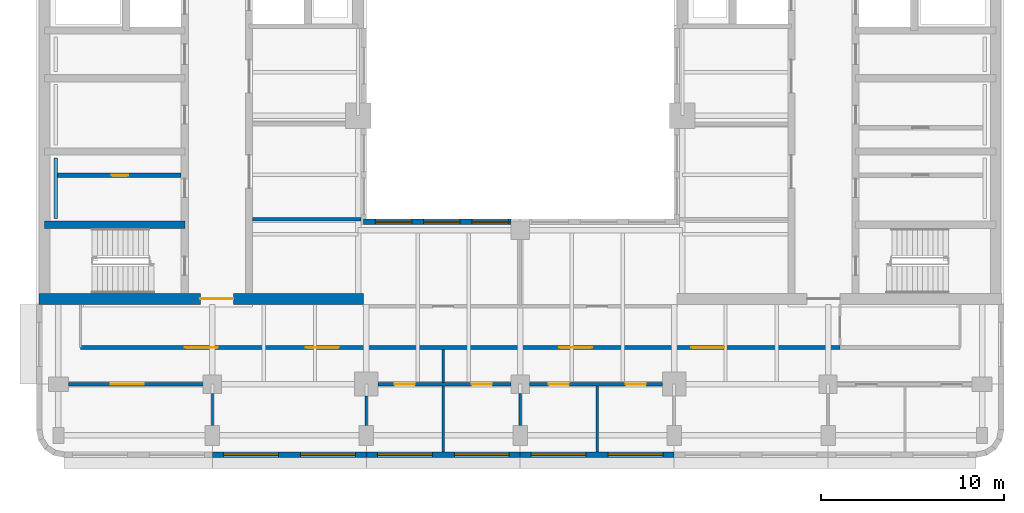
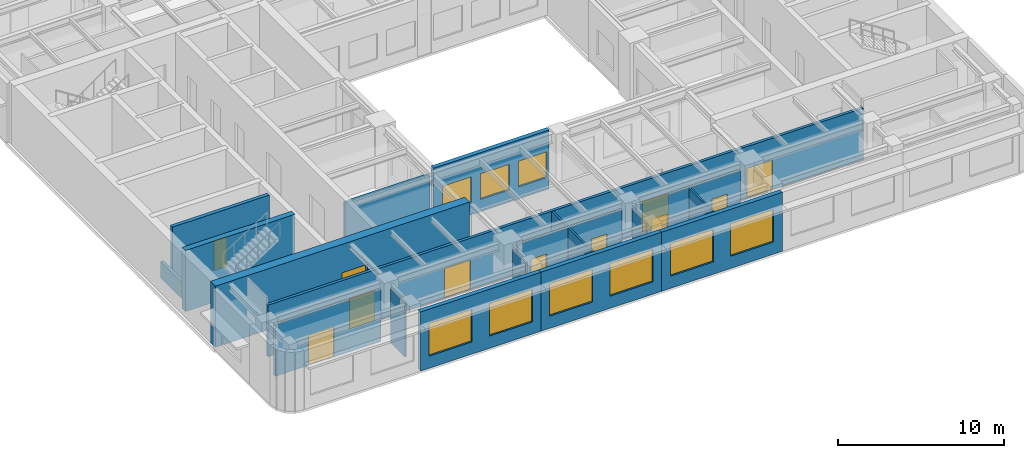
# One storey, part 3 of 11: 19 walls, 11 doors, 9 windows, 20 openings.
"""IFC4 building model written with IfcOpenShell, lengths in metres."""

from ifc_helpers import new_model, si_unit, direction, frame, frame_2d, origin, place, context, subcontext, project, spatial, rectangle, extrude, material, layer, layer_set, type_object, element, fill, save


model = new_model("IFC4")

# Units and contexts
model_context = context("Model", 3, precision=1e-05, world=origin(), true_north=direction((0.0, 1.0)))
body_context = subcontext(model_context, "Body", "Model", "MODEL_VIEW")
ifc_project = project(units=[si_unit("LENGTHUNIT", "METRE"), si_unit("AREAUNIT", "SQUARE_METRE"), si_unit("VOLUMEUNIT", "CUBIC_METRE"), si_unit("PLANEANGLEUNIT", "RADIAN"), si_unit("MASSUNIT", "GRAM", prefix="KILO")], contexts=[model_context])

# Site, building, storey
site_placement = place(None, origin())
site = spatial("IfcSite", under=ifc_project, at=site_placement, CompositionType="ELEMENT")
building_placement = place(site_placement, origin())
building = spatial("IfcBuilding", under=site, at=building_placement, Name="Claustro Exchange Tower", CompositionType="ELEMENT")
storey_placement = place(building_placement, frame((0.0, 0.0, 263.699951171875)))
storey = spatial("IfcBuildingStorey", under=building, at=storey_placement, Name="L60", CompositionType="ELEMENT", Elevation=263.699951171875)

# Walls
ifc_material_1 = material(Name="Laminated glass in aluminium frame", Category="aluminium")
ifc_layer_1 = layer(ifc_material_1, 0.1201171875)
ifc_layer_set_1 = layer_set([ifc_layer_1], Name="Laminated glass in aluminium frame")
wall_type_1 = type_object("IfcWallType", Name="P2 120 glazed partition", PredefinedType="PARTITIONING", material=ifc_layer_set_1)
wall_1_placement = place(storey_placement, frame((8.39990234375, 6.14892578125, 0.0), z_axis=(0.0, 0.0, 1.0), x_axis=(0.0, 1.0, 0.0)))
element("IfcWall", 1, at=wall_1_placement, inside=storey, type_object=wall_type_1, Name="Partition P2 L60", PredefinedType="PARTITIONING", context=body_context, shape_type="SweptSolid", body=[
    extrude(rectangle(XDim=1.751953125, YDim=0.1201171875, at=frame_2d((0.8759765625, 0.0))), origin(), (0.0, 0.0, 1.0), 3.989990234375),
])
wall_2_placement = place(storey_placement, frame((16.800048828125, 6.14892578125, 0.0), z_axis=(0.0, 0.0, 1.0), x_axis=(0.0, 1.0, 0.0)))
element("IfcWall", 2, at=wall_2_placement, inside=storey, type_object=wall_type_1, Name="Partition P2 L60", PredefinedType="PARTITIONING", context=body_context, shape_type="SweptSolid", body=[
    extrude(rectangle(XDim=1.60205078125, YDim=0.1201171875, at=frame_2d((0.801025390625, 0.0))), origin(), (0.0, 0.0, 1.0), 3.989990234375),
])
wall_3_placement = place(storey_placement, frame((21.0, 4.699951171875, 0.0), z_axis=(0.0, 0.0, 1.0), x_axis=(0.0, 1.0, 0.0)))
element("IfcWall", 3, at=wall_3_placement, inside=storey, type_object=wall_type_1, Name="Partition P2 L60", PredefinedType="PARTITIONING", context=body_context, shape_type="SweptSolid", body=[
    extrude(rectangle(XDim=3.60205078125, YDim=0.1201171875, at=frame_2d((1.801025390625, 0.0))), origin(), (0.0, 0.0, 1.0), 3.800048828125),
])
wall_4_placement = place(storey_placement, frame((25.199951171875, 6.14892578125, 0.0), z_axis=(0.0, 0.0, 1.0), x_axis=(0.0, 1.0, 0.0)))
element("IfcWall", 4, at=wall_4_placement, inside=storey, type_object=wall_type_1, Name="Partition P2 L60", PredefinedType="PARTITIONING", context=body_context, shape_type="SweptSolid", body=[
    extrude(rectangle(XDim=1.751953125, YDim=0.1201171875, at=frame_2d((0.8759765625, 0.0))), origin(), (0.0, 0.0, 1.0), 3.989990234375),
])
wall_5_placement = place(storey_placement, frame((29.39990234375, 4.699951171875, 0.0), z_axis=(0.0, 0.0, 1.0), x_axis=(0.0, 1.0, 0.0)))
element("IfcWall", 5, at=wall_5_placement, inside=storey, type_object=wall_type_1, Name="Partition P2 L60", PredefinedType="PARTITIONING", context=body_context, shape_type="SweptSolid", body=[
    extrude(rectangle(XDim=3.60205078125, YDim=0.1201171875, at=frame_2d((1.801025390625, 0.0))), origin(), (0.0, 0.0, 1.0), 3.800048828125),
])
wall_6_placement = place(storey_placement, frame((21.0, 8.498046875, 0.0), z_axis=(0.0, 0.0, 1.0), x_axis=(0.0, 1.0, 0.0)))
element("IfcWall", 6, at=wall_6_placement, inside=storey, type_object=wall_type_1, Name="Partition P2 L60", PredefinedType="PARTITIONING", context=body_context, shape_type="SweptSolid", body=[
    extrude(rectangle(XDim=1.803955078125, YDim=0.1201171875, at=frame_2d((0.90185546875, 0.0))), origin(), (0.0, 0.0, 1.0), 3.800048828125),
])
ifc_material_2 = material(Name="Twin-skin gypsum board on steel studs, mineral wool", Category="steel")
ifc_layer_2 = layer(ifc_material_2, 0.199951171875)
ifc_layer_set_2 = layer_set([ifc_layer_2], Name="Twin-skin gypsum board on steel studs, mineral wool")
wall_type_2 = type_object("IfcWallType", Name="P3 200 acoustic partition", PredefinedType="PARTITIONING", material=ifc_layer_set_2)
wall_7_placement = place(storey_placement, frame((10.597900390625, 17.39990234375, 0.0), z_axis=(0.0, 0.0, 1.0), x_axis=(1.0, 0.0, 0.0)))
element("IfcWall", 7, at=wall_7_placement, inside=storey, type_object=wall_type_2, Name="Partition P3 L60", PredefinedType="PARTITIONING", context=body_context, shape_type="SweptSolid", body=[
    extrude(rectangle(XDim=5.904052734375, YDim=0.199951171875, at=frame_2d((2.9521484375, 0.0))), origin(), (0.0, 0.0, 1.0), 3.800048828125),
])

# Wall, opening, door
wall_8_placement = place(storey_placement, frame((0.549072265625, 8.39990234375, 0.0), z_axis=(0.0, 0.0, 1.0), x_axis=(1.0, 0.0, 0.0)))
wall_8 = element("IfcWall", 8, at=wall_8_placement, inside=storey, type_object=wall_type_2, Name="Partition P3 L60", PredefinedType="PARTITIONING", context=body_context, shape_type="SweptSolid", body=[
    extrude(rectangle(XDim=7.351806640625, YDim=0.199951171875, at=frame_2d((3.67578125, 0.0))), origin(), (0.0, 0.0, 1.0), 3.800048828125),
])
opening_1_placement = place(wall_8_placement, frame((2.301025390625, 0.0, 0.0)))
opening_1 = element("IfcOpeningElement", 9, at=opening_1_placement, cuts=wall_8, Name="Opening D2", PredefinedType="OPENING", context=body_context, shape_type="SweptSolid", body=[
    extrude(rectangle(XDim=1.800048828125, YDim=2.199951171875, at=frame_2d((0.89990234375, 1.10009765625))), frame((0.0, 0.10986328125, 0.0), z_axis=(0.0, -1.0, 0.0), x_axis=(1.0, 0.0, 0.0)), (0.0, 0.0, 1.0), 0.219970703125),
])
ifc_material_3 = material(Name="Timber door, oak veneer", Category="wood")
door_type_1 = type_object("IfcDoorType", Name="D2 1800 x 2200 double door", OperationType="DOUBLE_DOOR_SINGLE_SWING", PredefinedType="DOOR", material=ifc_material_3)
door_1_placement = place(opening_1_placement, frame((1.800048828125, 0.0, 0.0), z_axis=(0.0, 0.0, 1.0), x_axis=(-1.0, 0.0, 0.0)))
door_1 = element("IfcDoor", 10, at=door_1_placement, inside=storey, type_object=door_type_1, Name="Double door D2 L60", OperationType="DOUBLE_DOOR_SINGLE_SWING", OverallHeight=2.199951171875, OverallWidth=1.800048828125, PredefinedType="DOOR", context=body_context, shape_type="SweptSolid", body=[
    extrude(rectangle(XDim=1.800048828125, YDim=2.199951171875, at=frame_2d((0.89990234375, 1.10009765625))), frame((0.0, 0.02490234375, 0.0), z_axis=(0.0, -1.0, 0.0), x_axis=(1.0, 0.0, 0.0)), (0.0, 0.0, 1.0), 0.050048828125),
])
fill(opening_1, door_1)

# Wall, openings, doors
wall_9_placement = place(storey_placement, frame((17.448974609375, 8.39990234375, 0.0), z_axis=(0.0, 0.0, 1.0), x_axis=(1.0, 0.0, 0.0)))
wall_9 = element("IfcWall", 11, at=wall_9_placement, inside=storey, type_object=wall_type_2, Name="Partition P3 L60", PredefinedType="PARTITIONING", context=body_context, shape_type="SweptSolid", body=[
    extrude(rectangle(XDim=7.251953125, YDim=0.199951171875, at=frame_2d((3.6259765625, 0.0))), origin(), (0.0, 0.0, 1.0), 3.800048828125),
])
opening_2_placement = place(wall_9_placement, frame((0.90087890625, 0.0, 0.0)))
opening_2 = element("IfcOpeningElement", 12, at=opening_2_placement, cuts=wall_9, Name="Opening D8", PredefinedType="OPENING", context=body_context, shape_type="SweptSolid", body=[
    extrude(rectangle(XDim=1.10009765625, YDim=2.39990234375, at=frame_2d((0.550048828125, 1.199951171875))), frame((0.0, 0.10986328125, 0.0), z_axis=(0.0, -1.0, 0.0), x_axis=(1.0, 0.0, 0.0)), (0.0, 0.0, 1.0), 0.219970703125),
])
opening_3_placement = place(wall_9_placement, frame((5.10107421875, 0.0, 0.0)))
opening_3 = element("IfcOpeningElement", 13, at=opening_3_placement, cuts=wall_9, Name="Opening D8", PredefinedType="OPENING", context=body_context, shape_type="SweptSolid", body=[
    extrude(rectangle(XDim=1.10009765625, YDim=2.39990234375, at=frame_2d((0.550048828125, 1.199951171875))), frame((0.0, 0.10986328125, 0.0), z_axis=(0.0, -1.0, 0.0), x_axis=(1.0, 0.0, 0.0)), (0.0, 0.0, 1.0), 0.219970703125),
])
ifc_material_4 = material(Name="Timber door, walnut veneer", Category="wood")
door_type_2 = type_object("IfcDoorType", Name="D8 1100 x 2400 executive door", OperationType="SINGLE_SWING_LEFT", PredefinedType="DOOR", material=ifc_material_4)
door_2_placement = place(opening_2_placement, frame((1.10009765625, 0.0, 0.0), z_axis=(0.0, 0.0, 1.0), x_axis=(-1.0, 0.0, 0.0)))
door_2 = element("IfcDoor", 14, at=door_2_placement, inside=storey, type_object=door_type_2, Name="Door D8 L60", OperationType="SINGLE_SWING_LEFT", OverallHeight=2.39990234375, OverallWidth=1.10009765625, PredefinedType="DOOR", context=body_context, shape_type="SweptSolid", body=[
    extrude(rectangle(XDim=1.10009765625, YDim=2.39990234375, at=frame_2d((0.550048828125, 1.199951171875))), frame((0.0, 0.02490234375, 0.0), z_axis=(0.0, -1.0, 0.0), x_axis=(1.0, 0.0, 0.0)), (0.0, 0.0, 1.0), 0.050048828125),
])
fill(opening_2, door_2)
door_3_placement = place(opening_3_placement, frame((1.10009765625, 0.0, 0.0), z_axis=(0.0, 0.0, 1.0), x_axis=(-1.0, 0.0, 0.0)))
door_3 = element("IfcDoor", 15, at=door_3_placement, inside=storey, type_object=door_type_2, Name="Door D8 L60", OperationType="SINGLE_SWING_LEFT", OverallHeight=2.39990234375, OverallWidth=1.10009765625, PredefinedType="DOOR", context=body_context, shape_type="SweptSolid", body=[
    extrude(rectangle(XDim=1.10009765625, YDim=2.39990234375, at=frame_2d((0.550048828125, 1.199951171875))), frame((0.0, 0.02490234375, 0.0), z_axis=(0.0, -1.0, 0.0), x_axis=(1.0, 0.0, 0.0)), (0.0, 0.0, 1.0), 0.050048828125),
])
fill(opening_3, door_3)

wall_10_placement = place(storey_placement, frame((25.698974609375, 8.39990234375, 0.0), z_axis=(0.0, 0.0, 1.0), x_axis=(1.0, 0.0, 0.0)))
wall_10 = element("IfcWall", 16, at=wall_10_placement, inside=storey, type_object=wall_type_2, Name="Partition P3 L60", PredefinedType="PARTITIONING", context=body_context, shape_type="SweptSolid", body=[
    extrude(rectangle(XDim=7.251953125, YDim=0.199951171875, at=frame_2d((3.6259765625, 0.0))), origin(), (0.0, 0.0, 1.0), 3.800048828125),
])
opening_4_placement = place(wall_10_placement, frame((1.051025390625, 0.0, 0.0)))
opening_4 = element("IfcOpeningElement", 17, at=opening_4_placement, cuts=wall_10, Name="Opening D8", PredefinedType="OPENING", context=body_context, shape_type="SweptSolid", body=[
    extrude(rectangle(XDim=1.10009765625, YDim=2.39990234375, at=frame_2d((0.550048828125, 1.199951171875))), frame((0.0, 0.10986328125, 0.0), z_axis=(0.0, -1.0, 0.0), x_axis=(1.0, 0.0, 0.0)), (0.0, 0.0, 1.0), 0.219970703125),
])
opening_5_placement = place(wall_10_placement, frame((5.2509765625, 0.0, 0.0)))
opening_5 = element("IfcOpeningElement", 18, at=opening_5_placement, cuts=wall_10, Name="Opening D8", PredefinedType="OPENING", context=body_context, shape_type="SweptSolid", body=[
    extrude(rectangle(XDim=1.10009765625, YDim=2.39990234375, at=frame_2d((0.550048828125, 1.199951171875))), frame((0.0, 0.10986328125, 0.0), z_axis=(0.0, -1.0, 0.0), x_axis=(1.0, 0.0, 0.0)), (0.0, 0.0, 1.0), 0.219970703125),
])
door_4_placement = place(opening_4_placement, frame((1.10009765625, 0.0, 0.0), z_axis=(0.0, 0.0, 1.0), x_axis=(-1.0, 0.0, 0.0)))
door_4 = element("IfcDoor", 19, at=door_4_placement, inside=storey, type_object=door_type_2, Name="Door D8 L60", OperationType="SINGLE_SWING_LEFT", OverallHeight=2.39990234375, OverallWidth=1.10009765625, PredefinedType="DOOR", context=body_context, shape_type="SweptSolid", body=[
    extrude(rectangle(XDim=1.10009765625, YDim=2.39990234375, at=frame_2d((0.550048828125, 1.199951171875))), frame((0.0, 0.02490234375, 0.0), z_axis=(0.0, -1.0, 0.0), x_axis=(1.0, 0.0, 0.0)), (0.0, 0.0, 1.0), 0.050048828125),
])
fill(opening_4, door_4)
door_5_placement = place(opening_5_placement, frame((1.10009765625, 0.0, 0.0), z_axis=(0.0, 0.0, 1.0), x_axis=(-1.0, 0.0, 0.0)))
door_5 = element("IfcDoor", 20, at=door_5_placement, inside=storey, type_object=door_type_2, Name="Door D8 L60", OperationType="SINGLE_SWING_LEFT", OverallHeight=2.39990234375, OverallWidth=1.10009765625, PredefinedType="DOOR", context=body_context, shape_type="SweptSolid", body=[
    extrude(rectangle(XDim=1.10009765625, YDim=2.39990234375, at=frame_2d((0.550048828125, 1.199951171875))), frame((0.0, 0.02490234375, 0.0), z_axis=(0.0, -1.0, 0.0), x_axis=(1.0, 0.0, 0.0)), (0.0, 0.0, 1.0), 0.050048828125),
])
fill(opening_5, door_5)

wall_11_placement = place(storey_placement, frame((1.199951171875, 10.39990234375, 0.0), z_axis=(0.0, 0.0, 1.0), x_axis=(1.0, 0.0, 0.0)))
wall_11 = element("IfcWall", 21, at=wall_11_placement, inside=storey, type_object=wall_type_2, Name="Partition P3 L60", PredefinedType="PARTITIONING", context=body_context, shape_type="SweptSolid", body=[
    extrude(rectangle(XDim=41.4521484375, YDim=0.199951171875, at=frame_2d((20.72607421875, 0.0))), origin(), (0.0, 0.0, 1.0), 3.800048828125),
])
opening_6_placement = place(wall_11_placement, frame((5.699951171875, 0.0, 0.0)))
opening_6 = element("IfcOpeningElement", 22, at=opening_6_placement, cuts=wall_11, Name="Opening D2", PredefinedType="OPENING", context=body_context, shape_type="SweptSolid", body=[
    extrude(rectangle(XDim=1.800048828125, YDim=2.199951171875, at=frame_2d((0.89990234375, 1.10009765625))), frame((0.0, 0.10986328125, 0.0), z_axis=(0.0, -1.0, 0.0), x_axis=(1.0, 0.0, 0.0)), (0.0, 0.0, 1.0), 0.219970703125),
])
opening_7_placement = place(wall_11_placement, frame((12.300048828125, 0.0, 0.0)))
opening_7 = element("IfcOpeningElement", 23, at=opening_7_placement, cuts=wall_11, Name="Opening D2", PredefinedType="OPENING", context=body_context, shape_type="SweptSolid", body=[
    extrude(rectangle(XDim=1.800048828125, YDim=2.199951171875, at=frame_2d((0.89990234375, 1.10009765625))), frame((0.0, 0.10986328125, 0.0), z_axis=(0.0, -1.0, 0.0), x_axis=(1.0, 0.0, 0.0)), (0.0, 0.0, 1.0), 0.219970703125),
])
opening_8_placement = place(wall_11_placement, frame((26.11669921875, 0.0, 0.0)))
opening_8 = element("IfcOpeningElement", 24, at=opening_8_placement, cuts=wall_11, Name="Opening D2", PredefinedType="OPENING", context=body_context, shape_type="SweptSolid", body=[
    extrude(rectangle(XDim=1.800048828125, YDim=2.199951171875, at=frame_2d((0.89990234375, 1.10009765625))), frame((0.0, 0.10986328125, 0.0), z_axis=(0.0, -1.0, 0.0), x_axis=(1.0, 0.0, 0.0)), (0.0, 0.0, 1.0), 0.219970703125),
])
opening_9_placement = place(wall_11_placement, frame((33.333251953125, 0.0, 0.0)))
opening_9 = element("IfcOpeningElement", 25, at=opening_9_placement, cuts=wall_11, Name="Opening D2", PredefinedType="OPENING", context=body_context, shape_type="SweptSolid", body=[
    extrude(rectangle(XDim=1.800048828125, YDim=2.199951171875, at=frame_2d((0.89990234375, 1.10009765625))), frame((0.0, 0.10986328125, 0.0), z_axis=(0.0, -1.0, 0.0), x_axis=(1.0, 0.0, 0.0)), (0.0, 0.0, 1.0), 0.219970703125),
])
door_6_placement = place(opening_6_placement, origin())
door_6 = element("IfcDoor", 26, at=door_6_placement, inside=storey, type_object=door_type_1, Name="Double door D2 L60", OperationType="DOUBLE_DOOR_SINGLE_SWING", OverallHeight=2.199951171875, OverallWidth=1.800048828125, PredefinedType="DOOR", context=body_context, shape_type="SweptSolid", body=[
    extrude(rectangle(XDim=1.800048828125, YDim=2.199951171875, at=frame_2d((0.89990234375, 1.10009765625))), frame((0.0, 0.02490234375, 0.0), z_axis=(0.0, -1.0, 0.0), x_axis=(1.0, 0.0, 0.0)), (0.0, 0.0, 1.0), 0.050048828125),
])
fill(opening_6, door_6)
door_7_placement = place(opening_7_placement, origin())
door_7 = element("IfcDoor", 27, at=door_7_placement, inside=storey, type_object=door_type_1, Name="Double door D2 L60", OperationType="DOUBLE_DOOR_SINGLE_SWING", OverallHeight=2.199951171875, OverallWidth=1.800048828125, PredefinedType="DOOR", context=body_context, shape_type="SweptSolid", body=[
    extrude(rectangle(XDim=1.800048828125, YDim=2.199951171875, at=frame_2d((0.89990234375, 1.10009765625))), frame((0.0, 0.02490234375, 0.0), z_axis=(0.0, -1.0, 0.0), x_axis=(1.0, 0.0, 0.0)), (0.0, 0.0, 1.0), 0.050048828125),
])
fill(opening_7, door_7)
door_8_placement = place(opening_8_placement, frame((1.800048828125, 0.0, 0.0), z_axis=(0.0, 0.0, 1.0), x_axis=(-1.0, 0.0, 0.0)))
door_8 = element("IfcDoor", 28, at=door_8_placement, inside=storey, type_object=door_type_1, Name="Double door D2 L60", OperationType="DOUBLE_DOOR_SINGLE_SWING", OverallHeight=2.199951171875, OverallWidth=1.800048828125, PredefinedType="DOOR", context=body_context, shape_type="SweptSolid", body=[
    extrude(rectangle(XDim=1.800048828125, YDim=2.199951171875, at=frame_2d((0.89990234375, 1.10009765625))), frame((0.0, 0.02490234375, 0.0), z_axis=(0.0, -1.0, 0.0), x_axis=(1.0, 0.0, 0.0)), (0.0, 0.0, 1.0), 0.050048828125),
])
fill(opening_8, door_8)
door_9_placement = place(opening_9_placement, frame((1.800048828125, 0.0, 0.0), z_axis=(0.0, 0.0, 1.0), x_axis=(-1.0, 0.0, 0.0)))
door_9 = element("IfcDoor", 29, at=door_9_placement, inside=storey, type_object=door_type_1, Name="Double door D2 L60", OperationType="DOUBLE_DOOR_SINGLE_SWING", OverallHeight=2.199951171875, OverallWidth=1.800048828125, PredefinedType="DOOR", context=body_context, shape_type="SweptSolid", body=[
    extrude(rectangle(XDim=1.800048828125, YDim=2.199951171875, at=frame_2d((0.89990234375, 1.10009765625))), frame((0.0, 0.02490234375, 0.0), z_axis=(0.0, -1.0, 0.0), x_axis=(1.0, 0.0, 0.0)), (0.0, 0.0, 1.0), 0.050048828125),
])
fill(opening_9, door_9)

# Wall, opening, door
ifc_material_5 = material(Name="Concrete blockwork, rendered", Category="masonry")
ifc_layer_3 = layer(ifc_material_5, 0.25)
ifc_layer_set_3 = layer_set([ifc_layer_3], Name="Concrete blockwork, rendered")
wall_type_3 = type_object("IfcWallType", Name="P4 250 blockwork wall", PredefinedType="PARTITIONING", material=ifc_layer_set_3)
wall_12_placement = place(storey_placement, frame((-0.050048828125, 19.800048828125, 0.0), z_axis=(0.0, 0.0, 1.0), x_axis=(1.0, 0.0, 0.0)))
wall_12 = element("IfcWall", 30, at=wall_12_placement, inside=storey, type_object=wall_type_3, Name="Partition P4 L60", PredefinedType="PARTITIONING", context=body_context, shape_type="SweptSolid", body=[
    extrude(rectangle(XDim=6.75, YDim=0.25, at=frame_2d((3.375, 0.0))), origin(), (0.0, 0.0, 1.0), 4.300048828125),
])
opening_10_placement = place(wall_12_placement, frame((2.949951171875, 0.0, 0.0)))
opening_10 = element("IfcOpeningElement", 31, at=opening_10_placement, cuts=wall_12, Name="Opening D5", PredefinedType="OPENING", context=body_context, shape_type="SweptSolid", body=[
    extrude(rectangle(XDim=0.89990234375, YDim=2.199951171875, at=frame_2d((0.449951171875, 1.10009765625))), frame((0.0, 0.135009765625, 0.0), z_axis=(0.0, -1.0, 0.0), x_axis=(1.0, 0.0, 0.0)), (0.0, 0.0, 1.0), 0.27001953125),
])
ifc_material_6 = material(Name="Steel door, painted", Category="steel")
door_type_3 = type_object("IfcDoorType", Name="D5 900 x 2200 store door", OperationType="SINGLE_SWING_LEFT", PredefinedType="DOOR", material=ifc_material_6)
door_10_placement = place(opening_10_placement, origin())
door_10 = element("IfcDoor", 32, at=door_10_placement, inside=storey, type_object=door_type_3, Name="Store door D5 L60", OperationType="SINGLE_SWING_RIGHT", OverallHeight=2.199951171875, OverallWidth=0.89990234375, PredefinedType="DOOR", context=body_context, shape_type="SweptSolid", body=[
    extrude(rectangle(XDim=0.89990234375, YDim=2.199951171875, at=frame_2d((0.449951171875, 1.10009765625))), frame((0.0, 0.02490234375, 0.0), z_axis=(0.0, -1.0, 0.0), x_axis=(1.0, 0.0, 0.0)), (0.0, 0.0, 1.0), 0.050048828125),
])
fill(opening_10, door_10)

# Wall, openings, windows
ifc_material_7 = material(Name="Concrete HA-40 (C40/50), precast, white cement, acid-etched", Category="concrete")
ifc_layer_4 = layer(ifc_material_7, 0.300048828125)
ifc_layer_set_4 = layer_set([ifc_layer_4], Name="Concrete HA-40 (C40/50), precast, white cement, acid-etched")
wall_type_4 = type_object("IfcWallType", Name="PC1 300 precast concrete pier panel", PredefinedType="SOLIDWALL", material=ifc_layer_set_4)
wall_13_placement = place(storey_placement, frame((33.60009765625, 4.550048828125, 0.0), z_axis=(0.0, 0.0, 1.0), x_axis=(-1.0, 0.0, 0.0)))
wall_13 = element("IfcWall", 33, at=wall_13_placement, inside=storey, type_object=wall_type_4, Name="Precast pier panel PC1 L60", PredefinedType="SOLIDWALL", context=body_context, shape_type="SweptSolid", body=[
    extrude(rectangle(XDim=8.400146484375, YDim=0.300048828125, at=frame_2d((4.2001953125, 0.0))), origin(), (0.0, 0.0, 1.0), 4.35009765625),
])
opening_11_placement = place(wall_13_placement, frame((0.60009765625, 0.0, 0.89990234375)))
opening_11 = element("IfcOpeningElement", 34, at=opening_11_placement, cuts=wall_13, Name="Opening W3", PredefinedType="OPENING", context=body_context, shape_type="SweptSolid", body=[
    extrude(rectangle(XDim=3.0, YDim=2.39990234375, at=frame_2d((1.5, 1.199951171875))), frame((0.0, 0.159912109375, 0.0), z_axis=(0.0, -1.0, 0.0), x_axis=(1.0, 0.0, 0.0)), (0.0, 0.0, 1.0), 0.320068359375),
])
opening_12_placement = place(wall_13_placement, frame((4.800048828125, 0.0, 0.89990234375)))
opening_12 = element("IfcOpeningElement", 35, at=opening_12_placement, cuts=wall_13, Name="Opening W3", PredefinedType="OPENING", context=body_context, shape_type="SweptSolid", body=[
    extrude(rectangle(XDim=3.0, YDim=2.39990234375, at=frame_2d((1.5, 1.199951171875))), frame((0.0, 0.159912109375, 0.0), z_axis=(0.0, -1.0, 0.0), x_axis=(1.0, 0.0, 0.0)), (0.0, 0.0, 1.0), 0.320068359375),
])
ifc_material_8 = material(Name="Aluminium frame, clear double glazing", Category="aluminium")
window_type_1 = type_object("IfcWindowType", Name="W3 3000 x 2400 window", PartitioningType="SINGLE_PANEL", PredefinedType="WINDOW", material=ifc_material_8)
window_1_placement = place(opening_11_placement, origin())
window_1 = element("IfcWindow", 36, at=window_1_placement, inside=storey, type_object=window_type_1, Name="Window W3 L60", OverallHeight=2.39990234375, OverallWidth=3.0, PartitioningType="SINGLE_PANEL", PredefinedType="WINDOW", context=body_context, shape_type="SweptSolid", body=[
    extrude(rectangle(XDim=3.0, YDim=2.39990234375, at=frame_2d((1.5, 1.199951171875))), frame((0.0, 0.030029296875, 0.0), z_axis=(0.0, -1.0, 0.0), x_axis=(1.0, 0.0, 0.0)), (0.0, 0.0, 1.0), 0.06005859375),
])
fill(opening_11, window_1)
window_2_placement = place(opening_12_placement, origin())
window_2 = element("IfcWindow", 37, at=window_2_placement, inside=storey, type_object=window_type_1, Name="Window W3 L60", OverallHeight=2.39990234375, OverallWidth=3.0, PartitioningType="SINGLE_PANEL", PredefinedType="WINDOW", context=body_context, shape_type="SweptSolid", body=[
    extrude(rectangle(XDim=3.0, YDim=2.39990234375, at=frame_2d((1.5, 1.199951171875))), frame((0.0, 0.030029296875, 0.0), z_axis=(0.0, -1.0, 0.0), x_axis=(1.0, 0.0, 0.0)), (0.0, 0.0, 1.0), 0.06005859375),
])
fill(opening_12, window_2)

wall_14_placement = place(storey_placement, frame((25.199951171875, 4.550048828125, 0.0), z_axis=(0.0, 0.0, 1.0), x_axis=(-1.0, 0.0, 0.0)))
wall_14 = element("IfcWall", 38, at=wall_14_placement, inside=storey, type_object=wall_type_4, Name="Precast pier panel PC1 L60", PredefinedType="SOLIDWALL", context=body_context, shape_type="SweptSolid", body=[
    extrude(rectangle(XDim=8.39990234375, YDim=0.300048828125, at=frame_2d((4.199951171875, 0.0))), origin(), (0.0, 0.0, 1.0), 4.35009765625),
])
opening_13_placement = place(wall_14_placement, frame((0.60009765625, 0.0, 0.89990234375)))
opening_13 = element("IfcOpeningElement", 39, at=opening_13_placement, cuts=wall_14, Name="Opening W3", PredefinedType="OPENING", context=body_context, shape_type="SweptSolid", body=[
    extrude(rectangle(XDim=3.0, YDim=2.39990234375, at=frame_2d((1.5, 1.199951171875))), frame((0.0, 0.159912109375, 0.0), z_axis=(0.0, -1.0, 0.0), x_axis=(1.0, 0.0, 0.0)), (0.0, 0.0, 1.0), 0.320068359375),
])
opening_14_placement = place(wall_14_placement, frame((4.800048828125, 0.0, 0.89990234375)))
opening_14 = element("IfcOpeningElement", 40, at=opening_14_placement, cuts=wall_14, Name="Opening W3", PredefinedType="OPENING", context=body_context, shape_type="SweptSolid", body=[
    extrude(rectangle(XDim=3.0, YDim=2.39990234375, at=frame_2d((1.5, 1.199951171875))), frame((0.0, 0.159912109375, 0.0), z_axis=(0.0, -1.0, 0.0), x_axis=(1.0, 0.0, 0.0)), (0.0, 0.0, 1.0), 0.320068359375),
])
window_3_placement = place(opening_13_placement, origin())
window_3 = element("IfcWindow", 41, at=window_3_placement, inside=storey, type_object=window_type_1, Name="Window W3 L60", OverallHeight=2.39990234375, OverallWidth=3.0, PartitioningType="SINGLE_PANEL", PredefinedType="WINDOW", context=body_context, shape_type="SweptSolid", body=[
    extrude(rectangle(XDim=3.0, YDim=2.39990234375, at=frame_2d((1.5, 1.199951171875))), frame((0.0, 0.030029296875, 0.0), z_axis=(0.0, -1.0, 0.0), x_axis=(1.0, 0.0, 0.0)), (0.0, 0.0, 1.0), 0.06005859375),
])
fill(opening_13, window_3)
window_4_placement = place(opening_14_placement, origin())
window_4 = element("IfcWindow", 42, at=window_4_placement, inside=storey, type_object=window_type_1, Name="Window W3 L60", OverallHeight=2.39990234375, OverallWidth=3.0, PartitioningType="SINGLE_PANEL", PredefinedType="WINDOW", context=body_context, shape_type="SweptSolid", body=[
    extrude(rectangle(XDim=3.0, YDim=2.39990234375, at=frame_2d((1.5, 1.199951171875))), frame((0.0, 0.030029296875, 0.0), z_axis=(0.0, -1.0, 0.0), x_axis=(1.0, 0.0, 0.0)), (0.0, 0.0, 1.0), 0.06005859375),
])
fill(opening_14, window_4)

wall_15_placement = place(storey_placement, frame((16.800048828125, 4.550048828125, 0.0), z_axis=(0.0, 0.0, 1.0), x_axis=(-1.0, 0.0, 0.0)))
wall_15 = element("IfcWall", 43, at=wall_15_placement, inside=storey, type_object=wall_type_4, Name="Precast pier panel PC1 L60", PredefinedType="SOLIDWALL", context=body_context, shape_type="SweptSolid", body=[
    extrude(rectangle(XDim=8.400146484375, YDim=0.300048828125, at=frame_2d((4.2001953125, 0.0))), origin(), (0.0, 0.0, 1.0), 4.35009765625),
])
opening_15_placement = place(wall_15_placement, frame((0.60009765625, 0.0, 0.89990234375)))
opening_15 = element("IfcOpeningElement", 44, at=opening_15_placement, cuts=wall_15, Name="Opening W3", PredefinedType="OPENING", context=body_context, shape_type="SweptSolid", body=[
    extrude(rectangle(XDim=3.0, YDim=2.39990234375, at=frame_2d((1.5, 1.199951171875))), frame((0.0, 0.159912109375, 0.0), z_axis=(0.0, -1.0, 0.0), x_axis=(1.0, 0.0, 0.0)), (0.0, 0.0, 1.0), 0.320068359375),
])
opening_16_placement = place(wall_15_placement, frame((4.800048828125, 0.0, 0.89990234375)))
opening_16 = element("IfcOpeningElement", 45, at=opening_16_placement, cuts=wall_15, Name="Opening W3", PredefinedType="OPENING", context=body_context, shape_type="SweptSolid", body=[
    extrude(rectangle(XDim=3.0, YDim=2.39990234375, at=frame_2d((1.5, 1.199951171875))), frame((0.0, 0.159912109375, 0.0), z_axis=(0.0, -1.0, 0.0), x_axis=(1.0, 0.0, 0.0)), (0.0, 0.0, 1.0), 0.320068359375),
])
window_5_placement = place(opening_15_placement, origin())
window_5 = element("IfcWindow", 46, at=window_5_placement, inside=storey, type_object=window_type_1, Name="Window W3 L60", OverallHeight=2.39990234375, OverallWidth=3.0, PartitioningType="SINGLE_PANEL", PredefinedType="WINDOW", context=body_context, shape_type="SweptSolid", body=[
    extrude(rectangle(XDim=3.0, YDim=2.39990234375, at=frame_2d((1.5, 1.199951171875))), frame((0.0, 0.030029296875, 0.0), z_axis=(0.0, -1.0, 0.0), x_axis=(1.0, 0.0, 0.0)), (0.0, 0.0, 1.0), 0.06005859375),
])
fill(opening_15, window_5)
window_6_placement = place(opening_16_placement, origin())
window_6 = element("IfcWindow", 47, at=window_6_placement, inside=storey, type_object=window_type_1, Name="Window W3 L60", OverallHeight=2.39990234375, OverallWidth=3.0, PartitioningType="SINGLE_PANEL", PredefinedType="WINDOW", context=body_context, shape_type="SweptSolid", body=[
    extrude(rectangle(XDim=3.0, YDim=2.39990234375, at=frame_2d((1.5, 1.199951171875))), frame((0.0, 0.030029296875, 0.0), z_axis=(0.0, -1.0, 0.0), x_axis=(1.0, 0.0, 0.0)), (0.0, 0.0, 1.0), 0.06005859375),
])
fill(opening_16, window_6)

wall_16_placement = place(storey_placement, frame((16.64990234375, 17.25, 0.0), z_axis=(0.0, 0.0, 1.0), x_axis=(1.0, 0.0, 0.0)))
wall_16 = element("IfcWall", 48, at=wall_16_placement, inside=storey, type_object=wall_type_4, Name="Precast pier panel PC1 L60", PredefinedType="SOLIDWALL", context=body_context, shape_type="SweptSolid", body=[
    extrude(rectangle(XDim=8.050048828125, YDim=0.300048828125, at=frame_2d((4.02490234375, 0.0))), origin(), (0.0, 0.0, 1.0), 4.35009765625),
])
opening_17_placement = place(wall_16_placement, frame((0.637451171875, 0.0, 0.89990234375)))
opening_17 = element("IfcOpeningElement", 49, at=opening_17_placement, cuts=wall_16, Name="Opening W4", PredefinedType="OPENING", context=body_context, shape_type="SweptSolid", body=[
    extrude(rectangle(XDim=2.0, YDim=1.89990234375, at=frame_2d((1.0, 0.949951171875))), frame((0.0, 0.159912109375, 0.0), z_axis=(0.0, -1.0, 0.0), x_axis=(1.0, 0.0, 0.0)), (0.0, 0.0, 1.0), 0.320068359375),
])
opening_18_placement = place(wall_16_placement, frame((3.27490234375, 0.0, 0.89990234375)))
opening_18 = element("IfcOpeningElement", 50, at=opening_18_placement, cuts=wall_16, Name="Opening W4", PredefinedType="OPENING", context=body_context, shape_type="SweptSolid", body=[
    extrude(rectangle(XDim=2.0, YDim=1.89990234375, at=frame_2d((1.0, 0.949951171875))), frame((0.0, 0.159912109375, 0.0), z_axis=(0.0, -1.0, 0.0), x_axis=(1.0, 0.0, 0.0)), (0.0, 0.0, 1.0), 0.320068359375),
])
opening_19_placement = place(wall_16_placement, frame((5.91259765625, 0.0, 0.89990234375)))
opening_19 = element("IfcOpeningElement", 51, at=opening_19_placement, cuts=wall_16, Name="Opening W4", PredefinedType="OPENING", context=body_context, shape_type="SweptSolid", body=[
    extrude(rectangle(XDim=2.0, YDim=1.89990234375, at=frame_2d((1.0, 0.949951171875))), frame((0.0, 0.159912109375, 0.0), z_axis=(0.0, -1.0, 0.0), x_axis=(1.0, 0.0, 0.0)), (0.0, 0.0, 1.0), 0.320068359375),
])
ifc_material_9 = material(Name="Aluminium frame, clear double glazing", Category="aluminium")
window_type_2 = type_object("IfcWindowType", Name="W4 2000 x 1900 light well window", PartitioningType="SINGLE_PANEL", PredefinedType="WINDOW", material=ifc_material_9)
window_7_placement = place(opening_17_placement, origin())
window_7 = element("IfcWindow", 52, at=window_7_placement, inside=storey, type_object=window_type_2, Name="Window W4 L60", OverallHeight=1.89990234375, OverallWidth=2.0, PartitioningType="SINGLE_PANEL", PredefinedType="WINDOW", context=body_context, shape_type="SweptSolid", body=[
    extrude(rectangle(XDim=2.0, YDim=1.89990234375, at=frame_2d((1.0, 0.949951171875))), frame((0.0, 0.030029296875, 0.0), z_axis=(0.0, -1.0, 0.0), x_axis=(1.0, 0.0, 0.0)), (0.0, 0.0, 1.0), 0.06005859375),
])
fill(opening_17, window_7)
window_8_placement = place(opening_18_placement, origin())
window_8 = element("IfcWindow", 53, at=window_8_placement, inside=storey, type_object=window_type_2, Name="Window W4 L60", OverallHeight=1.89990234375, OverallWidth=2.0, PartitioningType="SINGLE_PANEL", PredefinedType="WINDOW", context=body_context, shape_type="SweptSolid", body=[
    extrude(rectangle(XDim=2.0, YDim=1.89990234375, at=frame_2d((1.0, 0.949951171875))), frame((0.0, 0.030029296875, 0.0), z_axis=(0.0, -1.0, 0.0), x_axis=(1.0, 0.0, 0.0)), (0.0, 0.0, 1.0), 0.06005859375),
])
fill(opening_18, window_8)
window_9_placement = place(opening_19_placement, origin())
window_9 = element("IfcWindow", 54, at=window_9_placement, inside=storey, type_object=window_type_2, Name="Window W4 L60", OverallHeight=1.89990234375, OverallWidth=2.0, PartitioningType="SINGLE_PANEL", PredefinedType="WINDOW", context=body_context, shape_type="SweptSolid", body=[
    extrude(rectangle(XDim=2.0, YDim=1.89990234375, at=frame_2d((1.0, 0.949951171875))), frame((0.0, 0.030029296875, 0.0), z_axis=(0.0, -1.0, 0.0), x_axis=(1.0, 0.0, 0.0)), (0.0, 0.0, 1.0), 0.06005859375),
])
fill(opening_19, window_9)

# Wall
ifc_material_10 = material(Name="Gypsum board on steel studs, tiled", Category="steel")
ifc_layer_5 = layer(ifc_material_10, 0.199951171875)
ifc_layer_set_5 = layer_set([ifc_layer_5], Name="Gypsum board on steel studs, tiled")
wall_type_5 = type_object("IfcWallType", Name="PW1 200 WC duct wall", PredefinedType="PLUMBINGWALL", material=ifc_layer_set_5)
wall_17_placement = place(storey_placement, frame((-0.14990234375, 17.449951171875, 0.0), z_axis=(0.0, 0.0, 1.0), x_axis=(0.0, 1.0, 0.0)))
element("IfcWall", 55, at=wall_17_placement, inside=storey, type_object=wall_type_5, Name="WC duct wall PW1 L60", PredefinedType="PLUMBINGWALL", context=body_context, shape_type="SweptSolid", body=[
    extrude(rectangle(XDim=3.300048828125, YDim=0.199951171875, at=frame_2d((1.64990234375, 0.0))), origin(), (0.0, 0.0, 1.0), 1.199951171875),
])

# Wall, opening, door
ifc_material_11 = material(Name="Concrete HA-50 (C50/60)", Category="concrete")
ifc_layer_6 = layer(ifc_material_11, 0.60009765625)
ifc_layer_set_6 = layer_set([ifc_layer_6], Name="Concrete HA-50 (C50/60)")
wall_type_6 = type_object("IfcWallType", Name="SW3 600 core shear wall", PredefinedType="SHEAR", material=ifc_layer_set_6)
wall_18_placement = place(storey_placement, frame((-1.050048828125, 13.050048828125, 0.0), z_axis=(0.0, 0.0, 1.0), x_axis=(1.0, 0.0, 0.0)))
wall_18 = element("IfcWall", 56, at=wall_18_placement, inside=storey, type_object=wall_type_6, Name="Core wall SW3 W core S face L60", PredefinedType="SHEAR", context=body_context, shape_type="SweptSolid", body=[
    extrude(rectangle(XDim=17.699951171875, YDim=0.60009765625, at=frame_2d((8.85009765625, 0.0))), origin(), (0.0, 0.0, 1.0), 4.5),
])
opening_20_placement = place(wall_18_placement, frame((8.800048828125, 0.0, 0.0)))
opening_20 = element("IfcOpeningElement", 57, at=opening_20_placement, cuts=wall_18, Name="Opening D3", PredefinedType="OPENING", context=body_context, shape_type="SweptSolid", body=[
    extrude(rectangle(XDim=1.800048828125, YDim=2.39990234375, at=frame_2d((0.89990234375, 1.199951171875))), frame((0.0, 0.31005859375, 0.0), z_axis=(0.0, -1.0, 0.0), x_axis=(1.0, 0.0, 0.0)), (0.0, 0.0, 1.0), 0.6201171875),
])
ifc_material_12 = material(Name="Steel fire door, painted", Category="steel")
door_type_4 = type_object("IfcDoorType", Name="D3 1800 x 2400 fire-rated lobby double door", OperationType="DOUBLE_DOOR_SINGLE_SWING", PredefinedType="DOOR", material=ifc_material_12)
door_11_placement = place(opening_20_placement, origin())
door_11 = element("IfcDoor", 58, at=door_11_placement, inside=storey, type_object=door_type_4, Name="Lift lobby door D3 L60", OperationType="DOUBLE_DOOR_SINGLE_SWING", OverallHeight=2.39990234375, OverallWidth=1.800048828125, PredefinedType="DOOR", context=body_context, shape_type="SweptSolid", body=[
    extrude(rectangle(XDim=1.800048828125, YDim=2.39990234375, at=frame_2d((0.89990234375, 1.199951171875))), frame((0.0, 0.02490234375, 0.0), z_axis=(0.0, -1.0, 0.0), x_axis=(1.0, 0.0, 0.0)), (0.0, 0.0, 1.0), 0.050048828125),
])
fill(opening_20, door_11)

# Wall
ifc_material_13 = material(Name="Concrete HA-50 (C50/60)", Category="concrete")
ifc_layer_7 = layer(ifc_material_13, 0.39990234375)
ifc_layer_set_7 = layer_set([ifc_layer_7], Name="Concrete HA-50 (C50/60)")
wall_type_7 = type_object("IfcWallType", Name="SW4 400 internal core wall", PredefinedType="SHEAR", material=ifc_layer_set_7)
wall_19_placement = place(storey_placement, frame((-0.75, 17.10009765625, 0.0), z_axis=(0.0, 0.0, 1.0), x_axis=(1.0, 0.0, 0.0)))
element("IfcWall", 59, at=wall_19_placement, inside=storey, type_object=wall_type_7, Name="Internal core wall SW4 W core L60", PredefinedType="SHEAR", context=body_context, shape_type="SweptSolid", body=[
    extrude(rectangle(XDim=7.64990234375, YDim=0.39990234375, at=frame_2d((3.824951171875, 0.0))), origin(), (0.0, 0.0, 1.0), 4.5),
])

save(model, "model.ifc")
